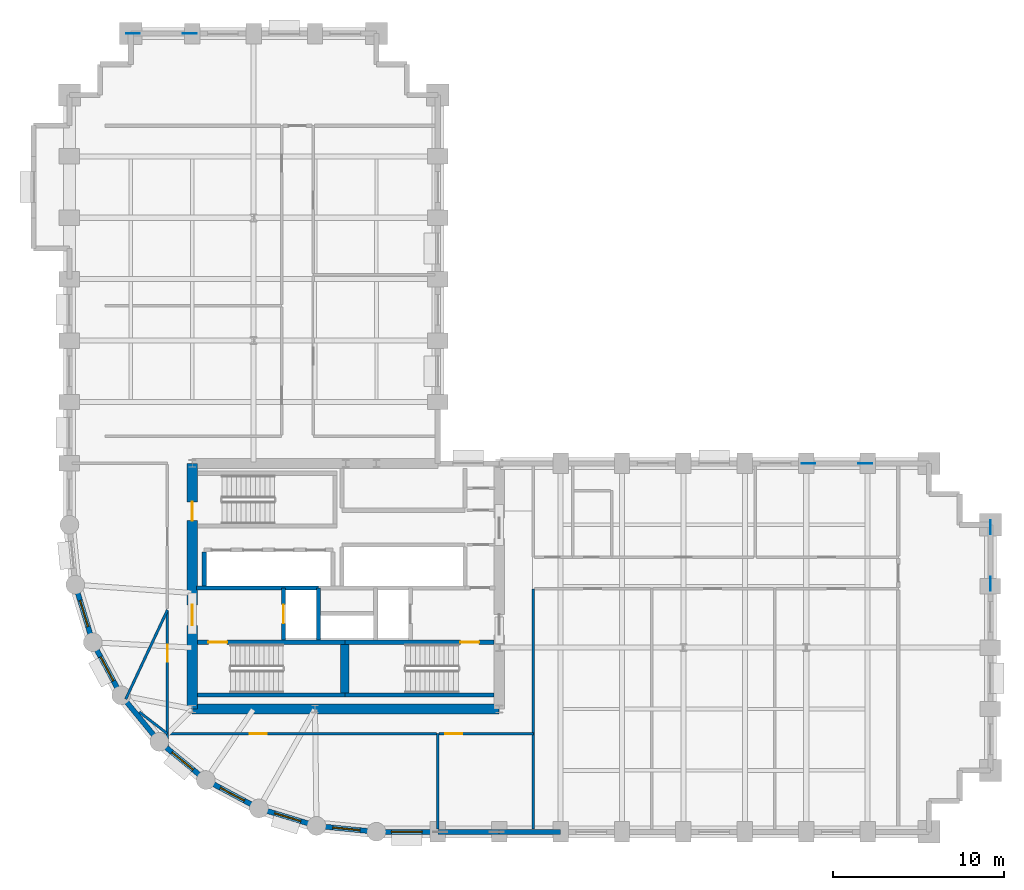
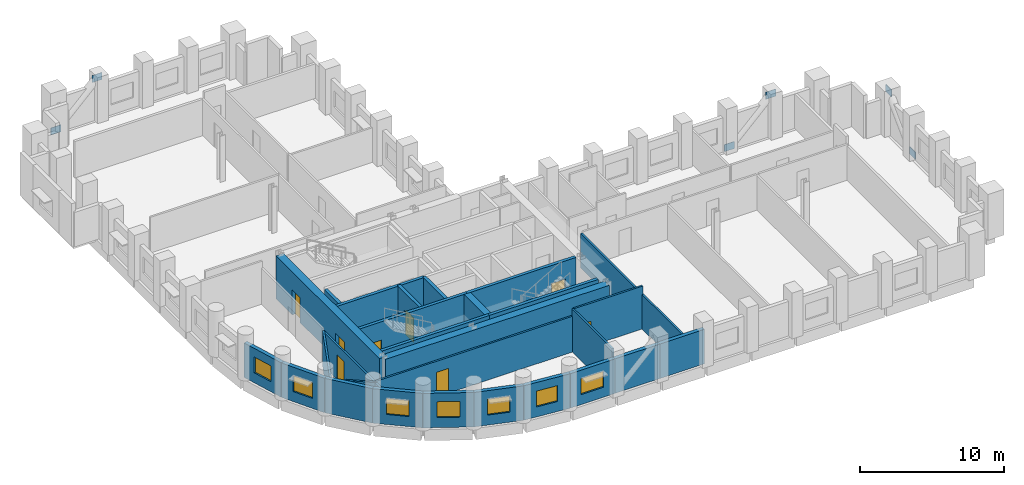
# One storey, part 5 of 11: 28 walls, 8 doors, 7 windows, 6 plates, 15 openings.
"""IFC4 building model written with IfcOpenShell, lengths in metres."""

from ifc_helpers import new_model, si_unit, direction, frame, frame_2d, origin, origin_2d, place, context, subcontext, project, spatial, rectangle, extrude, material, layer, layer_set, type_object, element, fill, save


model = new_model("IFC4")

# Units and contexts
model_context = context("Model", 3, precision=1e-05, world=origin(), true_north=direction((0.0, 1.0)))
body_context = subcontext(model_context, "Body", "Model", "MODEL_VIEW")
ifc_project = project(units=[si_unit("LENGTHUNIT", "METRE"), si_unit("AREAUNIT", "SQUARE_METRE"), si_unit("VOLUMEUNIT", "CUBIC_METRE"), si_unit("PLANEANGLEUNIT", "RADIAN"), si_unit("MASSUNIT", "GRAM", prefix="KILO")], contexts=[model_context])

# Site, building, storey
site_placement = place(None, origin())
site = spatial("IfcSite", under=ifc_project, at=site_placement, CompositionType="ELEMENT")
building_placement = place(site_placement, origin())
building = spatial("IfcBuilding", under=site, at=building_placement, Name="Solnavia Interchange Tower", CompositionType="ELEMENT")
storey_placement = place(building_placement, frame((0.0, 0.0, 55.199951171875)))
storey = spatial("IfcBuildingStorey", under=building, at=storey_placement, Name="L13", CompositionType="ELEMENT", Elevation=55.199951171875)

# Plates
ifc_material_1 = material(Name="Steel S460", Category="steel")
ifc_layer_1 = layer(ifc_material_1, 0.035888671875)
ifc_layer_set_1 = layer_set([ifc_layer_1], Name="Steel S460")
plate_type = type_object("IfcPlateType", Name="Plate-Gusset-800x600x36", PredefinedType="USERDEFINED", material=ifc_layer_set_1)
for number, where, z_axis, x_axis, name in (
    (1, (61.199951171875, 18.139892578125, -0.1201171875), (0.0, 0.0, 1.0), (0.0, 1.0, 0.0), "PLT-L13-GP03 Perimeter brace gusset plate"),
    (2, (61.199951171875, 21.4599609375, 3.169921875), (0.0, 0.0, 1.0), (0.0, 1.0, 0.0), "PLT-L13-GP04 Perimeter brace gusset plate"),
    (3, (10.93994140625, 50.39990234375, -0.1201171875), (0.0, 0.0, 1.0), (1.0, 0.0, 0.0), "PLT-L13-GP05 Perimeter brace gusset plate"),
    (4, (14.260009765625, 50.39990234375, 3.169921875), (0.0, 0.0, 1.0), (1.0, 0.0, 0.0), "PLT-L13-GP06 Perimeter brace gusset plate"),
    (5, (50.5400390625, 25.199951171875, -0.1201171875), (0.0, 0.0, 1.0), (1.0, 0.0, 0.0), "PLT-L13-GP07 Perimeter brace gusset plate"),
    (6, (53.860107421875, 25.199951171875, 3.169921875), (0.0, 0.0, 1.0), (1.0, 0.0, 0.0), "PLT-L13-GP08 Perimeter brace gusset plate"),
):
    element("IfcPlate", number, at=place(storey_placement, frame(where, z_axis=z_axis, x_axis=x_axis)), inside=storey, type_object=plate_type, Name=name, ObjectType="GUSSET PLATE", PredefinedType="USERDEFINED", context=body_context, shape_type="SweptSolid", body=[
        extrude(rectangle(XDim=0.800048828125, YDim=0.035888671875, at=origin_2d()), origin(), (0.0, 0.0, 1.0), 0.60009765625),
    ])

# Wall, opening, window
ifc_material_2 = material(Name="Concrete C40/50", Category="concrete")
ifc_layer_2 = layer(ifc_material_2, 0.300048828125)
ifc_layer_set_2 = layer_set([ifc_layer_2], Name="Concrete C40/50")
wall_type_1 = type_object("IfcWallType", Name="Wall-ExtSpandrel-300", PredefinedType="STANDARD", material=ifc_layer_set_2)
wall_1_placement = place(storey_placement, frame((28.800048828125, 3.60009765625, 0.0), z_axis=(0.0, 0.0, 1.0), x_axis=(-1.0, 0.0, 0.0)))
wall_1 = element("IfcWall", 7, at=wall_1_placement, inside=storey, type_object=wall_type_1, Name="EXW-L13-01 Exterior precast spandrel wall", PredefinedType="STANDARD", context=body_context, shape_type="SweptSolid", body=[
    extrude(rectangle(XDim=3.60009765625, YDim=0.300048828125, at=frame_2d((1.800048828125, 0.0))), origin(), (0.0, 0.0, 1.0), 2.929931640625),
])
opening_1_placement = place(wall_1_placement, frame((0.925048828125, 0.0, 0.85009765625)))
opening_1 = element("IfcOpeningElement", 8, at=opening_1_placement, cuts=wall_1, Name="Opening WIN-02", PredefinedType="OPENING", context=body_context, shape_type="SweptSolid", body=[
    extrude(rectangle(XDim=1.800048828125, YDim=1.35009765625, at=frame_2d((0.89990234375, 0.675048828125))), frame((0.0, 0.16015625, 0.0), z_axis=(0.0, -1.0, 0.0), x_axis=(1.0, 0.0, 0.0)), (0.0, 0.0, 1.0), 0.320068359375),
])
ifc_material_3 = material(Name="Thermal-Break Aluminium & Low-E Glass", Category="aluminium")
window_type_1 = type_object("IfcWindowType", Name="Window-Ribbon-1800x1350", PartitioningType="SINGLE_PANEL", PredefinedType="WINDOW", material=ifc_material_3)
window_1_placement = place(opening_1_placement, origin())
window_1 = element("IfcWindow", 9, at=window_1_placement, inside=storey, type_object=window_type_1, Name="WIN-L13-01 Facade ribbon window", OverallHeight=1.35009765625, OverallWidth=1.800048828125, PartitioningType="SINGLE_PANEL", PredefinedType="WINDOW", context=body_context, shape_type="SweptSolid", body=[
    extrude(rectangle(XDim=1.800048828125, YDim=1.35009765625, at=frame_2d((0.89990234375, 0.675048828125))), frame((0.0, 0.030029296875, 0.0), z_axis=(0.0, -1.0, 0.0), x_axis=(1.0, 0.0, 0.0)), (0.0, 0.0, 1.0), 0.06005859375),
])
fill(opening_1, window_1)

# Walls
wall_2_placement = place(storey_placement, frame((32.39990234375, 3.60009765625, 0.0), z_axis=(0.0, 0.0, 1.0), x_axis=(-1.0, 0.0, 0.0)))
element("IfcWall", 10, at=wall_2_placement, inside=storey, type_object=wall_type_1, Name="EXW-L13-02 Exterior precast spandrel wall", PredefinedType="STANDARD", context=body_context, shape_type="SweptSolid", body=[
    extrude(rectangle(XDim=3.599853515625, YDim=0.300048828125, at=frame_2d((1.7998046875, 0.0))), origin(), (0.0, 0.0, 1.0), 2.929931640625),
])
wall_3_placement = place(storey_placement, frame((36.0, 3.60009765625, 0.0), z_axis=(0.0, 0.0, 1.0), x_axis=(-1.0, 0.0, 0.0)))
element("IfcWall", 11, at=wall_3_placement, inside=storey, type_object=wall_type_1, Name="EXW-L13-03 Exterior precast spandrel wall", PredefinedType="STANDARD", context=body_context, shape_type="SweptSolid", body=[
    extrude(rectangle(XDim=3.60009765625, YDim=0.300048828125, at=frame_2d((1.800048828125, 0.0))), origin(), (0.0, 0.0, 1.0), 2.929931640625),
])

# Wall, opening, window
wall_4_placement = place(storey_placement, frame((8.570068359375, 14.7119140625, 0.0), z_axis=(0.0, 0.0, 1.0), x_axis=(-0.290305086481, 0.956934144423, 0.0)))
wall_4 = element("IfcWall", 12, at=wall_4_placement, inside=storey, type_object=wall_type_1, Name="EXW-L13-60 Exterior precast spandrel wall", PredefinedType="STANDARD", context=body_context, shape_type="SweptSolid", body=[
    extrude(rectangle(XDim=3.52783203125, YDim=0.300048828125, at=frame_2d((1.763916015625, 0.0))), origin(), (0.0, 0.0, 1.0), 2.929931640625),
])
opening_2_placement = place(wall_4_placement, frame((0.964111328125, 0.0, 0.85009765625)))
opening_2 = element("IfcOpeningElement", 13, at=opening_2_placement, cuts=wall_4, Name="Opening WIN-04", PredefinedType="OPENING", context=body_context, shape_type="SweptSolid", body=[
    extrude(rectangle(XDim=1.60009765625, YDim=1.35009765625, at=frame_2d((0.800048828125, 0.675048828125))), frame((0.0, 0.16015625, 0.0), z_axis=(0.0, -1.0, 0.0), x_axis=(1.0, 0.0, 0.0)), (0.0, 0.0, 1.0), 0.320068359375),
])
window_type_2 = type_object("IfcWindowType", Name="Window-Drum-1600x1350", PartitioningType="SINGLE_PANEL", PredefinedType="WINDOW", material=ifc_material_3)
window_2_placement = place(opening_2_placement, origin())
window_2 = element("IfcWindow", 14, at=window_2_placement, inside=storey, type_object=window_type_2, Name="WIN-L13-60 Facade ribbon window", OverallHeight=1.35009765625, OverallWidth=1.60009765625, PartitioningType="SINGLE_PANEL", PredefinedType="WINDOW", context=body_context, shape_type="SweptSolid", body=[
    extrude(rectangle(XDim=1.60009765625, YDim=1.35009765625, at=frame_2d((0.800048828125, 0.675048828125))), frame((0.0, 0.030029296875, 0.0), z_axis=(0.0, -1.0, 0.0), x_axis=(1.0, 0.0, 0.0)), (0.0, 0.0, 1.0), 0.06005859375),
])
fill(opening_2, window_2)

wall_5_placement = place(storey_placement, frame((10.23388671875, 11.60009765625, 0.0), z_axis=(0.0, 0.0, 1.0), x_axis=(-0.47151087309, 0.881860247748, 0.0)))
wall_5 = element("IfcWall", 15, at=wall_5_placement, inside=storey, type_object=wall_type_1, Name="EXW-L13-61 Exterior precast spandrel wall", PredefinedType="STANDARD", context=body_context, shape_type="SweptSolid", body=[
    extrude(rectangle(XDim=3.52880859375, YDim=0.300048828125, at=frame_2d((1.764404296875, 0.0))), origin(), (0.0, 0.0, 1.0), 2.929931640625),
])
opening_3_placement = place(wall_5_placement, frame((0.964111328125, 0.0, 0.85009765625)))
opening_3 = element("IfcOpeningElement", 16, at=opening_3_placement, cuts=wall_5, Name="Opening WIN-04", PredefinedType="OPENING", context=body_context, shape_type="SweptSolid", body=[
    extrude(rectangle(XDim=1.60009765625, YDim=1.35009765625, at=frame_2d((0.800048828125, 0.675048828125))), frame((0.0, 0.16015625, 0.0), z_axis=(0.0, -1.0, 0.0), x_axis=(1.0, 0.0, 0.0)), (0.0, 0.0, 1.0), 0.320068359375),
])
window_3_placement = place(opening_3_placement, origin())
window_3 = element("IfcWindow", 17, at=window_3_placement, inside=storey, type_object=window_type_2, Name="WIN-L13-61 Facade ribbon window", OverallHeight=1.35009765625, OverallWidth=1.60009765625, PartitioningType="SINGLE_PANEL", PredefinedType="WINDOW", context=body_context, shape_type="SweptSolid", body=[
    extrude(rectangle(XDim=1.60009765625, YDim=1.35009765625, at=frame_2d((0.800048828125, 0.675048828125))), frame((0.0, 0.030029296875, 0.0), z_axis=(0.0, -1.0, 0.0), x_axis=(1.0, 0.0, 0.0)), (0.0, 0.0, 1.0), 0.06005859375),
])
fill(opening_3, window_3)

# Wall
wall_6_placement = place(storey_placement, frame((12.471923828125, 8.8720703125, 0.0), z_axis=(0.0, 0.0, 1.0), x_axis=(-0.634258295121, 0.773121216285, 0.0)))
element("IfcWall", 18, at=wall_6_placement, inside=storey, type_object=wall_type_1, Name="EXW-L13-62 Exterior precast spandrel wall", PredefinedType="STANDARD", context=body_context, shape_type="SweptSolid", body=[
    extrude(rectangle(XDim=3.528564453125, YDim=0.300048828125, at=frame_2d((1.76416015625, 0.0))), origin(), (0.0, 0.0, 1.0), 2.929931640625),
])

# Wall, opening, window
wall_7_placement = place(storey_placement, frame((15.199951171875, 6.634033203125, 0.0), z_axis=(0.0, 0.0, 1.0), x_axis=(-0.773121216285, 0.634258295121, 0.0)))
wall_7 = element("IfcWall", 19, at=wall_7_placement, inside=storey, type_object=wall_type_1, Name="EXW-L13-63 Exterior precast spandrel wall", PredefinedType="STANDARD", context=body_context, shape_type="SweptSolid", body=[
    extrude(rectangle(XDim=3.528564453125, YDim=0.300048828125, at=frame_2d((1.76416015625, 0.0))), origin(), (0.0, 0.0, 1.0), 2.929931640625),
])
opening_4_placement = place(wall_7_placement, frame((0.964111328125, 0.0, 0.85009765625)))
opening_4 = element("IfcOpeningElement", 20, at=opening_4_placement, cuts=wall_7, Name="Opening WIN-04", PredefinedType="OPENING", context=body_context, shape_type="SweptSolid", body=[
    extrude(rectangle(XDim=1.60009765625, YDim=1.35009765625, at=frame_2d((0.800048828125, 0.675048828125))), frame((0.0, 0.16015625, 0.0), z_axis=(0.0, -1.0, 0.0), x_axis=(1.0, 0.0, 0.0)), (0.0, 0.0, 1.0), 0.320068359375),
])
window_4_placement = place(opening_4_placement, origin())
window_4 = element("IfcWindow", 21, at=window_4_placement, inside=storey, type_object=window_type_2, Name="WIN-L13-63 Facade ribbon window", OverallHeight=1.35009765625, OverallWidth=1.60009765625, PartitioningType="SINGLE_PANEL", PredefinedType="WINDOW", context=body_context, shape_type="SweptSolid", body=[
    extrude(rectangle(XDim=1.60009765625, YDim=1.35009765625, at=frame_2d((0.800048828125, 0.675048828125))), frame((0.0, 0.030029296875, 0.0), z_axis=(0.0, -1.0, 0.0), x_axis=(1.0, 0.0, 0.0)), (0.0, 0.0, 1.0), 0.06005859375),
])
fill(opening_4, window_4)

wall_8_placement = place(storey_placement, frame((18.31201171875, 4.969970703125, 0.0), z_axis=(0.0, 0.0, 1.0), x_axis=(-0.881846862014, 0.471535907389, 0.0)))
wall_8 = element("IfcWall", 22, at=wall_8_placement, inside=storey, type_object=wall_type_1, Name="EXW-L13-64 Exterior precast spandrel wall", PredefinedType="STANDARD", context=body_context, shape_type="SweptSolid", body=[
    extrude(rectangle(XDim=3.529052734375, YDim=0.300048828125, at=frame_2d((1.7646484375, 0.0))), origin(), (0.0, 0.0, 1.0), 2.929931640625),
])
opening_5_placement = place(wall_8_placement, frame((0.964111328125, 0.0, 0.85009765625)))
opening_5 = element("IfcOpeningElement", 23, at=opening_5_placement, cuts=wall_8, Name="Opening WIN-04", PredefinedType="OPENING", context=body_context, shape_type="SweptSolid", body=[
    extrude(rectangle(XDim=1.60009765625, YDim=1.35009765625, at=frame_2d((0.800048828125, 0.675048828125))), frame((0.0, 0.16015625, 0.0), z_axis=(0.0, -1.0, 0.0), x_axis=(1.0, 0.0, 0.0)), (0.0, 0.0, 1.0), 0.320068359375),
])
window_5_placement = place(opening_5_placement, origin())
window_5 = element("IfcWindow", 24, at=window_5_placement, inside=storey, type_object=window_type_2, Name="WIN-L13-64 Facade ribbon window", OverallHeight=1.35009765625, OverallWidth=1.60009765625, PartitioningType="SINGLE_PANEL", PredefinedType="WINDOW", context=body_context, shape_type="SweptSolid", body=[
    extrude(rectangle(XDim=1.60009765625, YDim=1.35009765625, at=frame_2d((0.800048828125, 0.675048828125))), frame((0.0, 0.030029296875, 0.0), z_axis=(0.0, -1.0, 0.0), x_axis=(1.0, 0.0, 0.0)), (0.0, 0.0, 1.0), 0.06005859375),
])
fill(opening_5, window_5)

wall_9_placement = place(storey_placement, frame((21.68798828125, 3.946044921875, 0.0), z_axis=(0.0, 0.0, 1.0), x_axis=(-0.956953367403, 0.290241714123, 0.0)))
wall_9 = element("IfcWall", 25, at=wall_9_placement, inside=storey, type_object=wall_type_1, Name="EXW-L13-65 Exterior precast spandrel wall", PredefinedType="STANDARD", context=body_context, shape_type="SweptSolid", body=[
    extrude(rectangle(XDim=3.52783203125, YDim=0.300048828125, at=frame_2d((1.763916015625, 0.0))), origin(), (0.0, 0.0, 1.0), 2.929931640625),
])
opening_6_placement = place(wall_9_placement, frame((0.964111328125, 0.0, 0.85009765625)))
opening_6 = element("IfcOpeningElement", 26, at=opening_6_placement, cuts=wall_9, Name="Opening WIN-04", PredefinedType="OPENING", context=body_context, shape_type="SweptSolid", body=[
    extrude(rectangle(XDim=1.60009765625, YDim=1.35009765625, at=frame_2d((0.800048828125, 0.675048828125))), frame((0.0, 0.16015625, 0.0), z_axis=(0.0, -1.0, 0.0), x_axis=(1.0, 0.0, 0.0)), (0.0, 0.0, 1.0), 0.320068359375),
])
window_6_placement = place(opening_6_placement, origin())
window_6 = element("IfcWindow", 27, at=window_6_placement, inside=storey, type_object=window_type_2, Name="WIN-L13-65 Facade ribbon window", OverallHeight=1.35009765625, OverallWidth=1.60009765625, PartitioningType="SINGLE_PANEL", PredefinedType="WINDOW", context=body_context, shape_type="SweptSolid", body=[
    extrude(rectangle(XDim=1.60009765625, YDim=1.35009765625, at=frame_2d((0.800048828125, 0.675048828125))), frame((0.0, 0.030029296875, 0.0), z_axis=(0.0, -1.0, 0.0), x_axis=(1.0, 0.0, 0.0)), (0.0, 0.0, 1.0), 0.06005859375),
])
fill(opening_6, window_6)

wall_10_placement = place(storey_placement, frame((25.199951171875, 3.60009765625, 0.0), z_axis=(0.0, 0.0, 1.0), x_axis=(-0.995183369056, 0.098030923459, 0.0)))
wall_10 = element("IfcWall", 28, at=wall_10_placement, inside=storey, type_object=wall_type_1, Name="EXW-L13-66 Exterior precast spandrel wall", PredefinedType="STANDARD", context=body_context, shape_type="SweptSolid", body=[
    extrude(rectangle(XDim=3.529052734375, YDim=0.300048828125, at=frame_2d((1.7646484375, 0.0))), origin(), (0.0, 0.0, 1.0), 2.929931640625),
])
opening_7_placement = place(wall_10_placement, frame((0.965087890625, 0.0, 0.85009765625)))
opening_7 = element("IfcOpeningElement", 29, at=opening_7_placement, cuts=wall_10, Name="Opening WIN-04", PredefinedType="OPENING", context=body_context, shape_type="SweptSolid", body=[
    extrude(rectangle(XDim=1.60009765625, YDim=1.35009765625, at=frame_2d((0.800048828125, 0.675048828125))), frame((0.0, 0.16015625, 0.0), z_axis=(0.0, -1.0, 0.0), x_axis=(1.0, 0.0, 0.0)), (0.0, 0.0, 1.0), 0.320068359375),
])
window_7_placement = place(opening_7_placement, origin())
window_7 = element("IfcWindow", 30, at=window_7_placement, inside=storey, type_object=window_type_2, Name="WIN-L13-66 Facade ribbon window", OverallHeight=1.35009765625, OverallWidth=1.60009765625, PartitioningType="SINGLE_PANEL", PredefinedType="WINDOW", context=body_context, shape_type="SweptSolid", body=[
    extrude(rectangle(XDim=1.60009765625, YDim=1.35009765625, at=frame_2d((0.800048828125, 0.675048828125))), frame((0.0, 0.030029296875, 0.0), z_axis=(0.0, -1.0, 0.0), x_axis=(1.0, 0.0, 0.0)), (0.0, 0.0, 1.0), 0.06005859375),
])
fill(opening_7, window_7)

# Walls
ifc_material_4 = material(Name="Gypsum Plasterboard & Steel Stud", Category="steel")
ifc_layer_3 = layer(ifc_material_4, 0.14990234375)
ifc_layer_set_3 = layer_set([ifc_layer_3], Name="Gypsum Plasterboard & Steel Stud")
wall_type_2 = type_object("IfcWallType", Name="Wall-Partition-150", PredefinedType="PARTITIONING", material=ifc_layer_set_3)
wall_11_placement = place(storey_placement, frame((28.800048828125, 9.35009765625, 0.0), z_axis=(0.0, 0.0, 1.0), x_axis=(0.0, -1.0, 0.0)))
element("IfcWall", 31, at=wall_11_placement, inside=storey, type_object=wall_type_2, Name="PTW-L13-08 Interior partition wall", PredefinedType="PARTITIONING", context=body_context, shape_type="SweptSolid", body=[
    extrude(rectangle(XDim=5.59619140625, YDim=0.14990234375, at=frame_2d((2.798095703125, 0.0))), origin(), (0.0, 0.0, 1.0), 3.635009765625),
])
wall_12_placement = place(storey_placement, frame((12.949951171875, 9.35009765625, 0.0), z_axis=(0.0, 0.0, 1.0), x_axis=(-0.791573423038, 0.611074067474, 0.0)))
element("IfcWall", 32, at=wall_12_placement, inside=storey, type_object=wall_type_2, Name="PTW-L13-09 Interior partition wall", PredefinedType="PARTITIONING", context=body_context, shape_type="SweptSolid", body=[
    extrude(rectangle(XDim=2.084228515625, YDim=0.14990234375, at=frame_2d((1.0419921875, 0.0))), origin(), (0.0, 0.0, 1.0), 2.929931640625),
])
wall_13_placement = place(storey_placement, frame((12.949951171875, 16.60009765625, 0.0), z_axis=(0.0, 0.0, 1.0), x_axis=(-0.424335060038, -0.905505249473, 0.0)))
element("IfcWall", 33, at=wall_13_placement, inside=storey, type_object=wall_type_2, Name="PTW-L13-10 Interior partition wall", PredefinedType="PARTITIONING", context=body_context, shape_type="SweptSolid", body=[
    extrude(rectangle(XDim=5.760498046875, YDim=0.14990234375, at=frame_2d((2.88037109375, 0.0))), origin(), (0.0, 0.0, 1.0), 2.929931640625),
])

# Wall, opening, door
wall_14_placement = place(storey_placement, frame((12.949951171875, 8.6337890625, 0.0), z_axis=(0.0, 0.0, 1.0), x_axis=(0.0, 1.0, 0.0)))
wall_14 = element("IfcWall", 34, at=wall_14_placement, inside=storey, type_object=wall_type_2, Name="PTW-L13-12 Interior partition wall", PredefinedType="PARTITIONING", context=body_context, shape_type="SweptSolid", body=[
    extrude(rectangle(XDim=7.88720703125, YDim=0.14990234375, at=frame_2d((3.943603515625, 0.0))), origin(), (0.0, 0.0, 1.0), 2.929931640625),
])
opening_8_placement = place(wall_14_placement, frame((4.947021484375, 0.0, 0.0)))
opening_8 = element("IfcOpeningElement", 35, at=opening_8_placement, cuts=wall_14, Name="Opening DR-07", PredefinedType="OPENING", context=body_context, shape_type="SweptSolid", body=[
    extrude(rectangle(XDim=1.0, YDim=2.10009765625, at=frame_2d((0.5, 1.050048828125))), frame((0.0, 0.0849609375, 0.0), z_axis=(0.0, -1.0, 0.0), x_axis=(1.0, 0.0, 0.0)), (0.0, 0.0, 1.0), 0.169921875),
])
ifc_material_5 = material(Name="Timber & Acoustic Glazed Office Door", Category="wood")
door_type_1 = type_object("IfcDoorType", Name="Door-Office-1000x2100", OperationType="SINGLE_SWING_RIGHT", PredefinedType="DOOR", material=ifc_material_5)
door_1_placement = place(opening_8_placement, origin())
door_1 = element("IfcDoor", 36, at=door_1_placement, inside=storey, type_object=door_type_1, Name="DR-L13-04 Interior room door", OperationType="SINGLE_SWING_RIGHT", OverallHeight=2.10009765625, OverallWidth=1.0, PredefinedType="DOOR", context=body_context, shape_type="SweptSolid", body=[
    extrude(rectangle(XDim=1.0, YDim=2.10009765625, at=frame_2d((0.5, 1.050048828125))), frame((0.0, 0.02490234375, 0.0), z_axis=(0.0, -1.0, 0.0), x_axis=(1.0, 0.0, 0.0)), (0.0, 0.0, 1.0), 0.050048828125),
])
fill(opening_8, door_1)

wall_15_placement = place(storey_placement, frame((12.949951171875, 9.35009765625, 0.0), z_axis=(0.0, 0.0, 1.0), x_axis=(1.0, 0.0, 0.0)))
wall_15 = element("IfcWall", 37, at=wall_15_placement, inside=storey, type_object=wall_type_2, Name="PTW-L13-13 Interior partition wall", PredefinedType="PARTITIONING", context=body_context, shape_type="SweptSolid", body=[
    extrude(rectangle(XDim=15.77099609375, YDim=0.14990234375, at=frame_2d((7.885498046875, 0.0))), origin(), (0.0, 0.0, 1.0), 3.0400390625),
])
opening_9_placement = place(wall_15_placement, frame((4.8359375, 0.0, 0.0)))
opening_9 = element("IfcOpeningElement", 38, at=opening_9_placement, cuts=wall_15, Name="Opening DR-07", PredefinedType="OPENING", context=body_context, shape_type="SweptSolid", body=[
    extrude(rectangle(XDim=1.0, YDim=2.10009765625, at=frame_2d((0.5, 1.050048828125))), frame((0.0, 0.0849609375, 0.0), z_axis=(0.0, -1.0, 0.0), x_axis=(1.0, 0.0, 0.0)), (0.0, 0.0, 1.0), 0.169921875),
])
door_2_placement = place(opening_9_placement, origin())
door_2 = element("IfcDoor", 39, at=door_2_placement, inside=storey, type_object=door_type_1, Name="DR-L13-05 Interior room door", OperationType="SINGLE_SWING_LEFT", OverallHeight=2.10009765625, OverallWidth=1.0, PredefinedType="DOOR", context=body_context, shape_type="SweptSolid", body=[
    extrude(rectangle(XDim=1.0, YDim=2.10009765625, at=frame_2d((0.5, 1.050048828125))), frame((0.0, 0.02490234375, 0.0), z_axis=(0.0, -1.0, 0.0), x_axis=(1.0, 0.0, 0.0)), (0.0, 0.0, 1.0), 0.050048828125),
])
fill(opening_9, door_2)

wall_16_placement = place(storey_placement, frame((28.87890625, 9.35009765625, 0.0), z_axis=(0.0, 0.0, 1.0), x_axis=(1.0, 0.0, 0.0)))
wall_16 = element("IfcWall", 40, at=wall_16_placement, inside=storey, type_object=wall_type_2, Name="PTW-L13-14 Interior partition wall", PredefinedType="PARTITIONING", context=body_context, shape_type="SweptSolid", body=[
    extrude(rectangle(XDim=5.52099609375, YDim=0.14990234375, at=frame_2d((2.760498046875, 0.0))), origin(), (0.0, 0.0, 1.0), 3.635009765625),
])
opening_10_placement = place(wall_16_placement, frame((0.360107421875, 0.0, 0.0)))
opening_10 = element("IfcOpeningElement", 41, at=opening_10_placement, cuts=wall_16, Name="Opening DR-07", PredefinedType="OPENING", context=body_context, shape_type="SweptSolid", body=[
    extrude(rectangle(XDim=1.0, YDim=2.10009765625, at=frame_2d((0.5, 1.050048828125))), frame((0.0, 0.0849609375, 0.0), z_axis=(0.0, -1.0, 0.0), x_axis=(1.0, 0.0, 0.0)), (0.0, 0.0, 1.0), 0.169921875),
])
door_3_placement = place(opening_10_placement, origin())
door_3 = element("IfcDoor", 42, at=door_3_placement, inside=storey, type_object=door_type_1, Name="DR-L13-06 Interior room door", OperationType="SINGLE_SWING_LEFT", OverallHeight=2.10009765625, OverallWidth=1.0, PredefinedType="DOOR", context=body_context, shape_type="SweptSolid", body=[
    extrude(rectangle(XDim=1.0, YDim=2.10009765625, at=frame_2d((0.5, 1.050048828125))), frame((0.0, 0.02490234375, 0.0), z_axis=(0.0, -1.0, 0.0), x_axis=(1.0, 0.0, 0.0)), (0.0, 0.0, 1.0), 0.050048828125),
])
fill(opening_10, door_3)

# Walls
wall_17_placement = place(storey_placement, frame((34.39990234375, 3.75390625, 0.0), z_axis=(0.0, 0.0, 1.0), x_axis=(0.0, 1.0, 0.0)))
element("IfcWall", 43, at=wall_17_placement, inside=storey, type_object=wall_type_2, Name="PTW-L13-15 Interior partition wall", PredefinedType="PARTITIONING", context=body_context, shape_type="SweptSolid", body=[
    extrude(rectangle(XDim=14.09619140625, YDim=0.14990234375, at=frame_2d((7.048095703125, 0.0))), origin(), (0.0, 0.0, 1.0), 2.929931640625),
])
ifc_layer_4 = layer(ifc_material_2, 0.25)
ifc_layer_set_4 = layer_set([ifc_layer_4], Name="Concrete C40/50")
wall_type_3 = type_object("IfcWallType", Name="Wall-ShaftCore-250", PredefinedType="SHEAR", material=ifc_layer_set_4)
wall_18_placement = place(storey_placement, frame((14.699951171875, 11.625, 0.0), z_axis=(0.0, 0.0, 1.0), x_axis=(1.0, 0.0, 0.0)))
element("IfcWall", 44, at=wall_18_placement, inside=storey, type_object=wall_type_3, Name="SHW-L13-ST1S Core shear wall", PredefinedType="SHEAR", context=body_context, shape_type="SweptSolid", body=[
    extrude(rectangle(XDim=8.650146484375, YDim=0.25, at=frame_2d((4.3251953125, 0.0))), origin(), (0.0, 0.0, 1.0), 3.650146484375),
])

# Wall, opening, door
wall_19_placement = place(storey_placement, frame((14.699951171875, 14.715087890625, 0.0), z_axis=(0.0, 0.0, 1.0), x_axis=(1.0, 0.0, 0.0)))
wall_19 = element("IfcWall", 45, at=wall_19_placement, inside=storey, type_object=wall_type_3, Name="SHW-L13-ST1N Core shear wall", PredefinedType="SHEAR", context=body_context, shape_type="SweptSolid", body=[
    extrude(rectangle(XDim=8.650146484375, YDim=0.25, at=frame_2d((4.3251953125, 0.0))), origin(), (0.0, 0.0, 1.0), 3.650146484375),
])
opening_11_placement = place(wall_19_placement, frame((0.655029296875, 0.0, 0.0)))
opening_11 = element("IfcOpeningElement", 46, at=opening_11_placement, cuts=wall_19, Name="Opening DR-01", PredefinedType="OPENING", context=body_context, shape_type="SweptSolid", body=[
    extrude(rectangle(XDim=1.10009765625, YDim=2.10009765625, at=frame_2d((0.550048828125, 1.050048828125))), frame((0.0, 0.135009765625, 0.0), z_axis=(0.0, -1.0, 0.0), x_axis=(1.0, 0.0, 0.0)), (0.0, 0.0, 1.0), 0.27001953125),
])
ifc_material_6 = material(Name="Steel Fire-Rated Leaf & Frame", Category="steel")
door_type_2 = type_object("IfcDoorType", Name="Door-StairFire-1100x2100", OperationType="SINGLE_SWING_LEFT", PredefinedType="DOOR", material=ifc_material_6)
door_4_placement = place(opening_11_placement, origin())
door_4 = element("IfcDoor", 47, at=door_4_placement, inside=storey, type_object=door_type_2, Name="DR-L13-ST1 Core fire door", OperationType="SINGLE_SWING_LEFT", OverallHeight=2.10009765625, OverallWidth=1.10009765625, PredefinedType="DOOR", context=body_context, shape_type="SweptSolid", body=[
    extrude(rectangle(XDim=1.10009765625, YDim=2.10009765625, at=frame_2d((0.550048828125, 1.050048828125))), frame((0.0, 0.02490234375, 0.0), z_axis=(0.0, -1.0, 0.0), x_axis=(1.0, 0.0, 0.0)), (0.0, 0.0, 1.0), 0.050048828125),
])
fill(opening_11, door_4)

# Wall
wall_20_placement = place(storey_placement, frame((23.35009765625, 11.625, 0.0), z_axis=(0.0, 0.0, 1.0), x_axis=(1.0, 0.0, 0.0)))
element("IfcWall", 48, at=wall_20_placement, inside=storey, type_object=wall_type_3, Name="SHW-L13-ST2S Core shear wall", PredefinedType="SHEAR", context=body_context, shape_type="SweptSolid", body=[
    extrude(rectangle(XDim=8.75, YDim=0.25, at=frame_2d((4.375, 0.0))), origin(), (0.0, 0.0, 1.0), 3.650146484375),
])

# Wall, opening, door
wall_21_placement = place(storey_placement, frame((23.35009765625, 14.715087890625, 0.0), z_axis=(0.0, 0.0, 1.0), x_axis=(1.0, 0.0, 0.0)))
wall_21 = element("IfcWall", 49, at=wall_21_placement, inside=storey, type_object=wall_type_3, Name="SHW-L13-ST2N Core shear wall", PredefinedType="SHEAR", context=body_context, shape_type="SweptSolid", body=[
    extrude(rectangle(XDim=8.75, YDim=0.25, at=frame_2d((4.375, 0.0))), origin(), (0.0, 0.0, 1.0), 3.650146484375),
])
opening_12_placement = place(wall_21_placement, frame((6.77490234375, 0.0, 0.0)))
opening_12 = element("IfcOpeningElement", 50, at=opening_12_placement, cuts=wall_21, Name="Opening DR-01", PredefinedType="OPENING", context=body_context, shape_type="SweptSolid", body=[
    extrude(rectangle(XDim=1.10009765625, YDim=2.10009765625, at=frame_2d((0.550048828125, 1.050048828125))), frame((0.0, 0.135009765625, 0.0), z_axis=(0.0, -1.0, 0.0), x_axis=(1.0, 0.0, 0.0)), (0.0, 0.0, 1.0), 0.27001953125),
])
door_5_placement = place(opening_12_placement, origin())
door_5 = element("IfcDoor", 51, at=door_5_placement, inside=storey, type_object=door_type_2, Name="DR-L13-ST2 Core fire door", OperationType="SINGLE_SWING_LEFT", OverallHeight=2.10009765625, OverallWidth=1.10009765625, PredefinedType="DOOR", context=body_context, shape_type="SweptSolid", body=[
    extrude(rectangle(XDim=1.10009765625, YDim=2.10009765625, at=frame_2d((0.550048828125, 1.050048828125))), frame((0.0, 0.02490234375, 0.0), z_axis=(0.0, -1.0, 0.0), x_axis=(1.0, 0.0, 0.0)), (0.0, 0.0, 1.0), 0.050048828125),
])
fill(opening_12, door_5)

# Wall
ifc_layer_5 = layer(ifc_material_2, 0.25)
ifc_layer_set_5 = layer_set([ifc_layer_5], Name="Concrete C40/50")
wall_type_4 = type_object("IfcWallType", Name="Wall-ShaftPart-250", PredefinedType="PARTITIONING", material=ifc_layer_set_5)
wall_22_placement = place(storey_placement, frame((14.64990234375, 17.89990234375, 0.0), z_axis=(0.0, 0.0, 1.0), x_axis=(1.0, 0.0, 0.0)))
element("IfcWall", 52, at=wall_22_placement, inside=storey, type_object=wall_type_4, Name="SHW-L13-FFLW-N Core shaft wall", PredefinedType="PARTITIONING", context=body_context, shape_type="SweptSolid", body=[
    extrude(rectangle(XDim=7.150146484375, YDim=0.25, at=frame_2d((3.5751953125, 0.0))), origin(), (0.0, 0.0, 1.0), 3.635009765625),
])

# Wall, opening, door
wall_23_placement = place(storey_placement, frame((19.75, 14.840087890625, 0.0), z_axis=(0.0, 0.0, 1.0), x_axis=(0.0, 1.0, 0.0)))
wall_23 = element("IfcWall", 53, at=wall_23_placement, inside=storey, type_object=wall_type_4, Name="SHW-L13-FFL1-W Core shaft wall", PredefinedType="PARTITIONING", context=body_context, shape_type="SweptSolid", body=[
    extrude(rectangle(XDim=3.059814453125, YDim=0.25, at=frame_2d((1.52978515625, 0.0))), origin(), (0.0, 0.0, 1.0), 3.635009765625),
])
opening_13_placement = place(wall_23_placement, frame((0.97998046875, 0.0, 0.0)))
opening_13 = element("IfcOpeningElement", 54, at=opening_13_placement, cuts=wall_23, Name="Opening LD-01", PredefinedType="OPENING", context=body_context, shape_type="SweptSolid", body=[
    extrude(rectangle(XDim=1.10009765625, YDim=2.10009765625, at=frame_2d((0.550048828125, 1.050048828125))), frame((0.0, 0.135009765625, 0.0), z_axis=(0.0, -1.0, 0.0), x_axis=(1.0, 0.0, 0.0)), (0.0, 0.0, 1.0), 0.27001953125),
])
ifc_material_7 = material(Name="Brushed Stainless Steel Sliding Door", Category="steel")
door_type_3 = type_object("IfcDoorType", Name="Door-LiftLanding-1100x2100", OperationType="SLIDING_TO_LEFT", PredefinedType="DOOR", material=ifc_material_7)
door_6_placement = place(opening_13_placement, origin())
door_6 = element("IfcDoor", 55, at=door_6_placement, inside=storey, type_object=door_type_3, Name="LD-L13-FFL1 Lift landing sliding door", OperationType="SLIDING_TO_LEFT", OverallHeight=2.10009765625, OverallWidth=1.10009765625, PredefinedType="DOOR", context=body_context, shape_type="SweptSolid", body=[
    extrude(rectangle(XDim=1.10009765625, YDim=2.10009765625, at=frame_2d((0.550048828125, 1.050048828125))), frame((0.0, 0.02490234375, 0.0), z_axis=(0.0, -1.0, 0.0), x_axis=(1.0, 0.0, 0.0)), (0.0, 0.0, 1.0), 0.050048828125),
])
fill(opening_13, door_6)

# Walls
wall_24_placement = place(storey_placement, frame((21.800048828125, 14.840087890625, 0.0), z_axis=(0.0, 0.0, 1.0), x_axis=(0.0, 1.0, 0.0)))
element("IfcWall", 56, at=wall_24_placement, inside=storey, type_object=wall_type_4, Name="SHW-L13-FFL1-E Core shaft wall", PredefinedType="PARTITIONING", context=body_context, shape_type="SweptSolid", body=[
    extrude(rectangle(XDim=3.059814453125, YDim=0.25, at=frame_2d((1.52978515625, 0.0))), origin(), (0.0, 0.0, 1.0), 3.635009765625),
])
wall_25_placement = place(storey_placement, frame((15.10009765625, 18.02490234375, 0.0), z_axis=(0.0, 0.0, 1.0), x_axis=(0.0, 1.0, 0.0)))
element("IfcWall", 57, at=wall_25_placement, inside=storey, type_object=wall_type_4, Name="SHW-L13-B1W Core shaft wall", PredefinedType="PARTITIONING", context=body_context, shape_type="SweptSolid", body=[
    extrude(rectangle(XDim=1.97509765625, YDim=0.25, at=frame_2d((0.987548828125, 0.0))), origin(), (0.0, 0.0, 1.0), 3.635009765625),
])
ifc_material_8 = material(Name="Concrete C60/75", Category="concrete")
ifc_layer_6 = layer(ifc_material_8, 0.5)
ifc_layer_set_6 = layer_set([ifc_layer_6], Name="Concrete C60/75")
wall_type_5 = type_object("IfcWallType", Name="Wall-ShearCore-500", PredefinedType="SHEAR", material=ifc_layer_set_6)
wall_26_placement = place(storey_placement, frame((23.35009765625, 11.75, 0.0), z_axis=(0.0, 0.0, 1.0), x_axis=(0.0, 1.0, 0.0)))
element("IfcWall", 58, at=wall_26_placement, inside=storey, type_object=wall_type_5, Name="SHW-L13-ST12M Core shear wall", PredefinedType="SHEAR", context=body_context, shape_type="SweptSolid", body=[
    extrude(rectangle(XDim=2.840087890625, YDim=0.5, at=frame_2d((1.419921875, 0.0))), origin(), (0.0, 0.0, 1.0), 3.650146484375),
])
ifc_layer_7 = layer(ifc_material_8, 0.60009765625)
ifc_layer_set_7 = layer_set([ifc_layer_7], Name="Concrete C60/75")
wall_type_6 = type_object("IfcWallType", Name="Wall-ShearCore-600", PredefinedType="SHEAR", material=ifc_layer_set_7)
wall_27_placement = place(storey_placement, frame((14.39990234375, 10.800048828125, 0.0), z_axis=(0.0, 0.0, 1.0), x_axis=(1.0, 0.0, 0.0)))
element("IfcWall", 59, at=wall_27_placement, inside=storey, type_object=wall_type_6, Name="CRW-L13-S Core shear wall", PredefinedType="SHEAR", context=body_context, shape_type="SweptSolid", body=[
    extrude(rectangle(XDim=18.0, YDim=0.60009765625, at=frame_2d((9.0, 0.0))), origin(), (0.0, 0.0, 1.0), 3.650146484375),
])

# Wall, openings, doors
wall_28_placement = place(storey_placement, frame((14.39990234375, 10.800048828125, 0.0), z_axis=(0.0, 0.0, 1.0), x_axis=(0.0, 1.0, 0.0)))
wall_28 = element("IfcWall", 60, at=wall_28_placement, inside=storey, type_object=wall_type_6, Name="CRW-L13-W Core shear wall", PredefinedType="SHEAR", context=body_context, shape_type="SweptSolid", body=[
    extrude(rectangle(XDim=14.39990234375, YDim=0.60009765625, at=frame_2d((7.199951171875, 0.0))), origin(), (0.0, 0.0, 1.0), 3.650146484375),
])
opening_14_placement = place(wall_28_placement, frame((11.050048828125, 0.0, 0.0)))
opening_14 = element("IfcOpeningElement", 61, at=opening_14_placement, cuts=wall_28, Name="Opening DR-01", PredefinedType="OPENING", context=body_context, shape_type="SweptSolid", body=[
    extrude(rectangle(XDim=1.10009765625, YDim=2.10009765625, at=frame_2d((0.550048828125, 1.050048828125))), frame((0.0, 0.31005859375, 0.0), z_axis=(0.0, -1.0, 0.0), x_axis=(1.0, 0.0, 0.0)), (0.0, 0.0, 1.0), 0.6201171875),
])
opening_15_placement = place(wall_28_placement, frame((4.89990234375, 0.0, 0.0)))
opening_15 = element("IfcOpeningElement", 62, at=opening_15_placement, cuts=wall_28, Name="Opening DR-02", PredefinedType="OPENING", context=body_context, shape_type="SweptSolid", body=[
    extrude(rectangle(XDim=1.199951171875, YDim=2.10009765625, at=frame_2d((0.60009765625, 1.050048828125))), frame((0.0, 0.31005859375, 0.0), z_axis=(0.0, -1.0, 0.0), x_axis=(1.0, 0.0, 0.0)), (0.0, 0.0, 1.0), 0.6201171875),
])
ifc_material_9 = material(Name="Steel Fire-Rated Vision-Panel Door", Category="steel")
door_type_4 = type_object("IfcDoorType", Name="Door-LobbyFire-1200x2100", OperationType="SINGLE_SWING_RIGHT", PredefinedType="DOOR", material=ifc_material_9)
door_7_placement = place(opening_15_placement, origin())
door_7 = element("IfcDoor", 63, at=door_7_placement, inside=storey, type_object=door_type_4, Name="DR-L13-FFL1W Core fire door", OperationType="SINGLE_SWING_RIGHT", OverallHeight=2.10009765625, OverallWidth=1.199951171875, PredefinedType="DOOR", context=body_context, shape_type="SweptSolid", body=[
    extrude(rectangle(XDim=1.199951171875, YDim=2.10009765625, at=frame_2d((0.60009765625, 1.050048828125))), frame((0.0, 0.02490234375, 0.0), z_axis=(0.0, -1.0, 0.0), x_axis=(1.0, 0.0, 0.0)), (0.0, 0.0, 1.0), 0.050048828125),
])
fill(opening_15, door_7)
door_8_placement = place(opening_14_placement, origin())
door_8 = element("IfcDoor", 64, at=door_8_placement, inside=storey, type_object=door_type_2, Name="DR-L13-ST3 Core fire door", OperationType="SINGLE_SWING_RIGHT", OverallHeight=2.10009765625, OverallWidth=1.10009765625, PredefinedType="DOOR", context=body_context, shape_type="SweptSolid", body=[
    extrude(rectangle(XDim=1.10009765625, YDim=2.10009765625, at=frame_2d((0.550048828125, 1.050048828125))), frame((0.0, 0.02490234375, 0.0), z_axis=(0.0, -1.0, 0.0), x_axis=(1.0, 0.0, 0.0)), (0.0, 0.0, 1.0), 0.050048828125),
])
fill(opening_14, door_8)

save(model, "model.ifc")
